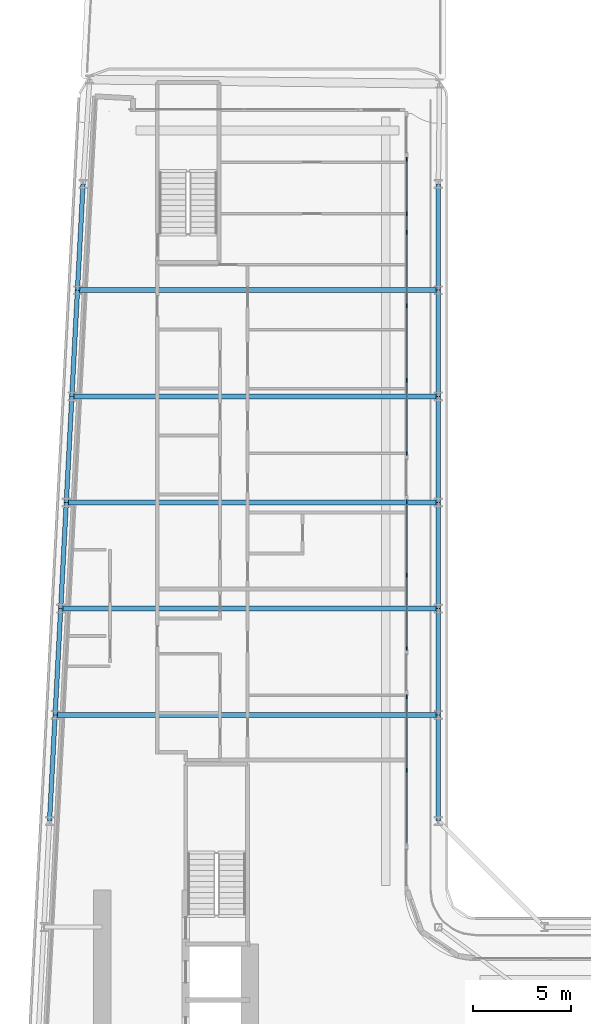
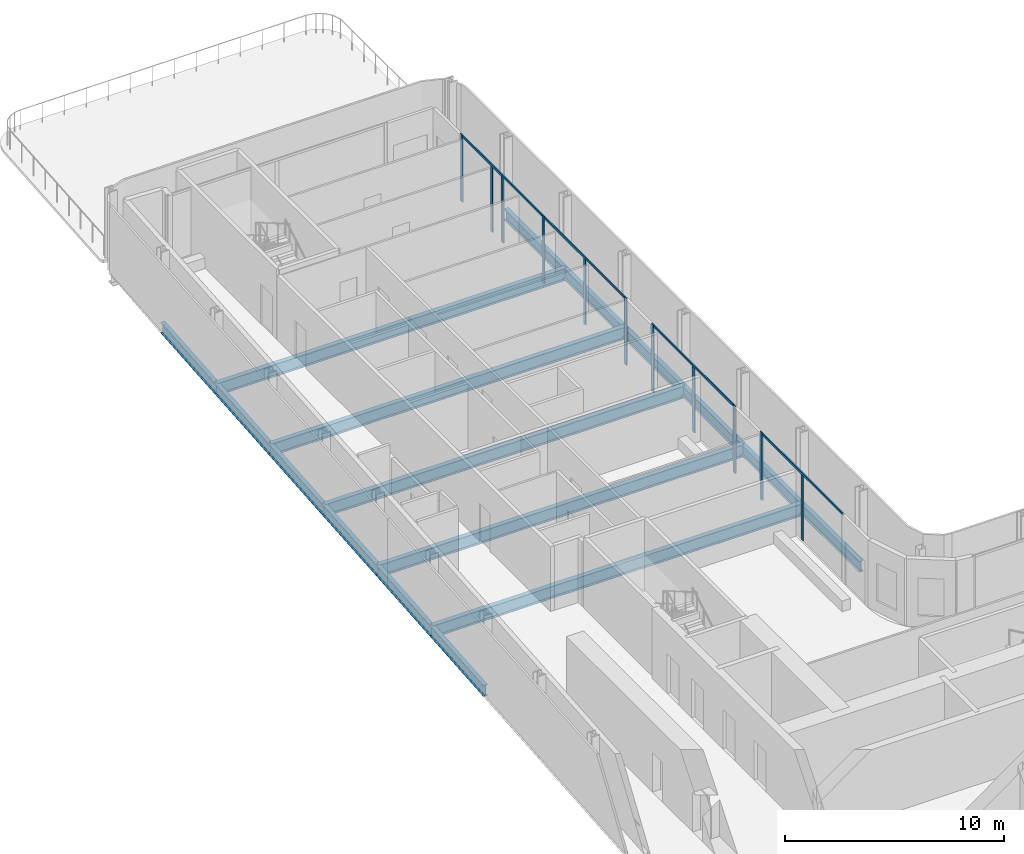
# One storey, part 7 of 28: 17 beams, 15 members, 4 elements without a shape of their own.
"""IFC4 building model written with IfcOpenShell, lengths in metres."""

from ifc_helpers import new_model, si_unit, direction, frame, origin, origin_2d, place, context, subcontext, project, spatial, rectangle, i_section, extrude, material, layer, layer_set, material_profile, profile_set, type_object, element, aggregate, save


model = new_model("IFC4")

# Units and contexts
model_context = context("Model", 3, precision=1e-05, world=origin(), true_north=direction((0.0, 1.0)))
body_context = subcontext(model_context, "Body", "Model", "MODEL_VIEW")
ifc_project = project(units=[si_unit("LENGTHUNIT", "METRE"), si_unit("AREAUNIT", "SQUARE_METRE"), si_unit("VOLUMEUNIT", "CUBIC_METRE"), si_unit("PLANEANGLEUNIT", "RADIAN"), si_unit("MASSUNIT", "GRAM", prefix="KILO")], contexts=[model_context])

# Site, building, storey
site_placement = place(None, origin())
site = spatial("IfcSite", under=ifc_project, at=site_placement, CompositionType="ELEMENT")
building_placement = place(site_placement, origin())
building = spatial("IfcBuilding", under=site, at=building_placement, Name="Kheshtan School and Residences Tower", CompositionType="ELEMENT")
storey_placement = place(building_placement, frame((0.0, 0.0, 94.10009765625)))
storey = spatial("IfcBuildingStorey", under=building, at=storey_placement, Name="L21", CompositionType="ELEMENT", Elevation=94.10009765625)

# Beams
ifc_material_1 = material(Name="Steel ASTM A992 Grade 50", Category="steel")
ifc_material_profile_1 = material_profile(ifc_material_1, i_section(OverallWidth=0.2529296875, OverallDepth=0.677978515625, WebThickness=0.01171875, FlangeThickness=0.016357421875, FilletRadius=0.0146484375, at=origin_2d()), Name="W690x125")
ifc_profile_set_1 = profile_set([ifc_material_profile_1], Name="Steel ASTM A992 Grade 50")
beam_type_1 = type_object("IfcBeamType", Name="Beam FB6 W690x125 ASTM A992 Grade 50", PredefinedType="BEAM", material=ifc_profile_set_1)
beam_1_placement = place(storey_placement, frame((47.60009765625, 72.60009765625, -0.489013671875), z_axis=(-1.0, 0.0, 0.0), x_axis=(0.0, -1.0, 0.0)))
element("IfcBeam", 1, at=beam_1_placement, inside=storey, type_object=beam_type_1, Name="Floor beam C087", PredefinedType="BEAM", context=body_context, shape_type="SweptSolid", body=[
    extrude(i_section(OverallWidth=0.2529296875, OverallDepth=0.677978515625, WebThickness=0.01171875, FlangeThickness=0.016357421875, FilletRadius=0.0146484375, at=origin_2d()), origin(), (0.0, 0.0, 1.0), 18.64208984375),
])
beam_2_placement = place(storey_placement, frame((47.60009765625, 61.800048828125, -0.489013671875), z_axis=(-1.0, 0.0, 0.0), x_axis=(0.0, -1.0, 0.0)))
element("IfcBeam", 2, at=beam_2_placement, inside=storey, type_object=beam_type_1, Name="Floor beam C083", PredefinedType="BEAM", context=body_context, shape_type="SweptSolid", body=[
    extrude(i_section(OverallWidth=0.2529296875, OverallDepth=0.677978515625, WebThickness=0.01171875, FlangeThickness=0.016357421875, FilletRadius=0.0146484375, at=origin_2d()), origin(), (0.0, 0.0, 1.0), 19.210205078125),
])
beam_3_placement = place(storey_placement, frame((28.10595703125, 56.39990234375, -0.489013671875), z_axis=(1.0, 0.0, 0.0), x_axis=(0.0, 1.0, 0.0)))
element("IfcBeam", 3, at=beam_3_placement, inside=storey, type_object=beam_type_1, Name="Floor beam C080", PredefinedType="BEAM", context=body_context, shape_type="SweptSolid", body=[
    extrude(i_section(OverallWidth=0.2529296875, OverallDepth=0.677978515625, WebThickness=0.01171875, FlangeThickness=0.016357421875, FilletRadius=0.0146484375, at=origin_2d()), origin(), (0.0, 0.0, 1.0), 19.494140625),
])
beam_4_placement = place(storey_placement, frame((28.674072265625, 67.199951171875, -0.489013671875), z_axis=(1.0, 0.0, 0.0), x_axis=(0.0, 1.0, 0.0)))
element("IfcBeam", 4, at=beam_4_placement, inside=storey, type_object=beam_type_1, Name="Floor beam C084", PredefinedType="BEAM", context=body_context, shape_type="SweptSolid", body=[
    extrude(i_section(OverallWidth=0.2529296875, OverallDepth=0.677978515625, WebThickness=0.01171875, FlangeThickness=0.016357421875, FilletRadius=0.0146484375, at=origin_2d()), origin(), (0.0, 0.0, 1.0), 18.926025390625),
])
beam_5_placement = place(storey_placement, frame((29.242919921875, 78.0, -0.489013671875), z_axis=(1.0, 0.0, 0.0), x_axis=(0.0, 1.0, 0.0)))
element("IfcBeam", 5, at=beam_5_placement, inside=storey, type_object=beam_type_1, Name="Floor beam C088", PredefinedType="BEAM", context=body_context, shape_type="SweptSolid", body=[
    extrude(i_section(OverallWidth=0.2529296875, OverallDepth=0.677978515625, WebThickness=0.01171875, FlangeThickness=0.016357421875, FilletRadius=0.0146484375, at=origin_2d()), origin(), (0.0, 0.0, 1.0), 18.357177734375),
])
ifc_material_profile_2 = material_profile(ifc_material_1, i_section(OverallWidth=0.22802734375, OverallDepth=0.60302734375, WebThickness=0.010498046875, FlangeThickness=0.014892578125, FilletRadius=0.013427734375, at=origin_2d()), Name="W610x101")
ifc_profile_set_2 = profile_set([ifc_material_profile_2], Name="Steel ASTM A992 Grade 50")
beam_type_2 = type_object("IfcBeamType", Name="Beam SP2 W610x101 ASTM A992 Grade 50", PredefinedType="BEAM", material=ifc_profile_set_2)
for number, where, z_axis, x_axis, name in (
    (6, (47.60009765625, 83.39990234375, -0.45166015625), (0.0, -1.0, 0.0), (1.0, 0.0, 0.0), "Spandrel beam C091-C089"),
    (7, (47.60009765625, 78.0, -0.45166015625), (0.0, -1.0, 0.0), (1.0, 0.0, 0.0), "Spandrel beam C089-C087"),
):
    element("IfcBeam", number, at=place(storey_placement, frame(where, z_axis=z_axis, x_axis=x_axis)), inside=storey, type_object=beam_type_2, Name=name, PredefinedType="BEAM", context=body_context, shape_type="SweptSolid", body=[
        extrude(i_section(OverallWidth=0.22802734375, OverallDepth=0.60302734375, WebThickness=0.010498046875, FlangeThickness=0.014892578125, FilletRadius=0.013427734375, at=origin_2d()), origin(), (0.0, 0.0, 1.0), 5.39990234375),
    ])
beam_6_placement = place(storey_placement, frame((47.60009765625, 72.60009765625, -0.45166015625), z_axis=(0.0, -1.0, 0.0), x_axis=(1.0, 0.0, 0.0)))
element("IfcBeam", 8, at=beam_6_placement, inside=storey, type_object=beam_type_2, Name="Spandrel beam C087-C085", PredefinedType="BEAM", context=body_context, shape_type="SweptSolid", body=[
    extrude(i_section(OverallWidth=0.22802734375, OverallDepth=0.60302734375, WebThickness=0.010498046875, FlangeThickness=0.014892578125, FilletRadius=0.013427734375, at=origin_2d()), origin(), (0.0, 0.0, 1.0), 5.400146484375),
])
beam_7_placement = place(storey_placement, frame((47.60009765625, 67.199951171875, -0.45166015625), z_axis=(0.0, -1.0, 0.0), x_axis=(1.0, 0.0, 0.0)))
element("IfcBeam", 9, at=beam_7_placement, inside=storey, type_object=beam_type_2, Name="Spandrel beam C085-C083", PredefinedType="BEAM", context=body_context, shape_type="SweptSolid", body=[
    extrude(i_section(OverallWidth=0.22802734375, OverallDepth=0.60302734375, WebThickness=0.010498046875, FlangeThickness=0.014892578125, FilletRadius=0.013427734375, at=origin_2d()), origin(), (0.0, 0.0, 1.0), 5.39990234375),
])
beam_8_placement = place(storey_placement, frame((47.60009765625, 61.800048828125, -0.45166015625), z_axis=(0.0, -1.0, 0.0), x_axis=(1.0, 0.0, 0.0)))
element("IfcBeam", 10, at=beam_8_placement, inside=storey, type_object=beam_type_2, Name="Spandrel beam C083-C081", PredefinedType="BEAM", context=body_context, shape_type="SweptSolid", body=[
    extrude(i_section(OverallWidth=0.22802734375, OverallDepth=0.60302734375, WebThickness=0.010498046875, FlangeThickness=0.014892578125, FilletRadius=0.013427734375, at=origin_2d()), origin(), (0.0, 0.0, 1.0), 5.400146484375),
])
beam_9_placement = place(storey_placement, frame((47.60009765625, 56.39990234375, -0.45166015625), z_axis=(0.0, -1.0, 0.0), x_axis=(1.0, 0.0, 0.0)))
element("IfcBeam", 11, at=beam_9_placement, inside=storey, type_object=beam_type_2, Name="Spandrel beam C081-C079", PredefinedType="BEAM", context=body_context, shape_type="SweptSolid", body=[
    extrude(i_section(OverallWidth=0.22802734375, OverallDepth=0.60302734375, WebThickness=0.010498046875, FlangeThickness=0.014892578125, FilletRadius=0.013427734375, at=origin_2d()), origin(), (0.0, 0.0, 1.0), 5.39990234375),
])
beam_10_placement = place(storey_placement, frame((27.822021484375, 51.0, -0.45166015625), z_axis=(0.05250906864, 0.998620447272, 0.0), x_axis=(-0.998620447272, 0.05250906864, 0.0)))
element("IfcBeam", 12, at=beam_10_placement, inside=storey, type_object=beam_type_2, Name="Spandrel beam C078-C080", PredefinedType="BEAM", context=body_context, shape_type="SweptSolid", body=[
    extrude(i_section(OverallWidth=0.22802734375, OverallDepth=0.60302734375, WebThickness=0.010498046875, FlangeThickness=0.014892578125, FilletRadius=0.013427734375, at=origin_2d()), origin(), (0.0, 0.0, 1.0), 5.407470703125),
])
beam_11_placement = place(storey_placement, frame((28.10595703125, 56.39990234375, -0.45166015625), z_axis=(0.05250670125, 0.998620571751, 0.0), x_axis=(-0.998620571751, 0.05250670125, 0.0)))
element("IfcBeam", 13, at=beam_11_placement, inside=storey, type_object=beam_type_2, Name="Spandrel beam C080-C082", PredefinedType="BEAM", context=body_context, shape_type="SweptSolid", body=[
    extrude(i_section(OverallWidth=0.22802734375, OverallDepth=0.60302734375, WebThickness=0.010498046875, FlangeThickness=0.014892578125, FilletRadius=0.013427734375, at=origin_2d()), origin(), (0.0, 0.0, 1.0), 5.40771484375),
])
beam_12_placement = place(storey_placement, frame((28.389892578125, 61.800048828125, -0.45166015625), z_axis=(0.052554093665, 0.998618078766, 0.0), x_axis=(-0.998618078766, 0.052554093665, 0.0)))
element("IfcBeam", 14, at=beam_12_placement, inside=storey, type_object=beam_type_2, Name="Spandrel beam C082-C084", PredefinedType="BEAM", context=body_context, shape_type="SweptSolid", body=[
    extrude(i_section(OverallWidth=0.22802734375, OverallDepth=0.60302734375, WebThickness=0.010498046875, FlangeThickness=0.014892578125, FilletRadius=0.013427734375, at=origin_2d()), origin(), (0.0, 0.0, 1.0), 5.407470703125),
])
beam_13_placement = place(storey_placement, frame((28.674072265625, 67.199951171875, -0.45166015625), z_axis=(0.05250670125, 0.998620571751, 0.0), x_axis=(-0.998620571751, 0.05250670125, 0.0)))
element("IfcBeam", 15, at=beam_13_placement, inside=storey, type_object=beam_type_2, Name="Spandrel beam C084-C086", PredefinedType="BEAM", context=body_context, shape_type="SweptSolid", body=[
    extrude(i_section(OverallWidth=0.22802734375, OverallDepth=0.60302734375, WebThickness=0.010498046875, FlangeThickness=0.014892578125, FilletRadius=0.013427734375, at=origin_2d()), origin(), (0.0, 0.0, 1.0), 5.40771484375),
])
for number, where, z_axis, x_axis, name in (
    (16, (28.9580078125, 72.60009765625, -0.45166015625), (0.052689166816, 0.998610961136, 0.0), (-0.998610961136, 0.052689166816, 0.0), "Spandrel beam C086-C088"),
    (17, (29.242919921875, 78.0, -0.45166015625), (0.052554093665, 0.998618078766, 0.0), (-0.998618078766, 0.052554093665, 0.0), "Spandrel beam C088-C090"),
):
    element("IfcBeam", number, at=place(storey_placement, frame(where, z_axis=z_axis, x_axis=x_axis)), inside=storey, type_object=beam_type_2, Name=name, PredefinedType="BEAM", context=body_context, shape_type="SweptSolid", body=[
        extrude(i_section(OverallWidth=0.22802734375, OverallDepth=0.60302734375, WebThickness=0.010498046875, FlangeThickness=0.014892578125, FilletRadius=0.013427734375, at=origin_2d()), origin(), (0.0, 0.0, 1.0), 5.407470703125),
    ])

# Curtain wall, members
ifc_material_2 = material(Name="Clear low-e glass in thermally broken aluminium frame", Category="aluminium")
ifc_layer = layer(ifc_material_2, 0.199951171875)
ifc_layer_set = layer_set([ifc_layer], Name="Curtain wall CW-L")
curtain_wall_type = type_object("IfcCurtainWallType", Name="Curtain wall CW-L", PredefinedType="NOTDEFINED", material=ifc_layer_set)
curtain_wall_1_placement = place(storey_placement, origin())
curtain_wall_1 = element("IfcCurtainWall", 18, at=curtain_wall_1_placement, inside=storey, type_object=curtain_wall_type, Name="Curtain wall CWL4", PredefinedType="NOTDEFINED")
ifc_material_3 = material(Name="Thermally broken aluminium, dark bronze anodised", Category="aluminium")
ifc_material_profile_3 = material_profile(ifc_material_3, rectangle(XDim=0.06005859375, YDim=0.199951171875, at=origin_2d()), Name="CW-L mullion 60x200")
ifc_profile_set_3 = profile_set([ifc_material_profile_3], Name="Thermally broken aluminium, dark bronze anodised")
member_type_1 = type_object("IfcMemberType", Name="CW-L mullion 60x200", PredefinedType="MULLION", material=ifc_profile_set_3)
member_1_placement = place(storey_placement, frame((46.0, 84.669921875, 0.0), z_axis=(0.0, 0.0, 1.0), x_axis=(1.0, 0.0, 0.0)))
member_1 = element("IfcMember", 19, at=member_1_placement, type_object=member_type_1, Name="CWL4 mullion 1", PredefinedType="MULLION", context=body_context, shape_type="SweptSolid", body=[
    extrude(rectangle(XDim=0.06005859375, YDim=0.199951171875, at=origin_2d()), origin(), (0.0, 0.0, 1.0), 3.75),
])
member_2_placement = place(storey_placement, frame((46.0, 81.89990234375, 0.0), z_axis=(0.0, 0.0, 1.0), x_axis=(1.0, 0.0, 0.0)))
member_2 = element("IfcMember", 20, at=member_2_placement, type_object=member_type_1, Name="CWL4 mullion 2", PredefinedType="MULLION", context=body_context, shape_type="SweptSolid", body=[
    extrude(rectangle(XDim=0.06005859375, YDim=0.199951171875, at=origin_2d()), origin(), (0.0, 0.0, 1.0), 3.6298828125),
])
member_3_placement = place(storey_placement, frame((46.0, 80.941162109375, 0.0), z_axis=(0.0, 0.0, 1.0), x_axis=(1.0, 0.0, 0.0)))
member_3 = element("IfcMember", 21, at=member_3_placement, type_object=member_type_1, Name="CWL4 mullion 3", PredefinedType="MULLION", context=body_context, shape_type="SweptSolid", body=[
    extrude(rectangle(XDim=0.06005859375, YDim=0.199951171875, at=origin_2d()), origin(), (0.0, 0.0, 1.0), 3.6298828125),
])
member_4_placement = place(storey_placement, frame((46.0, 77.21240234375, 0.0), z_axis=(0.0, 0.0, 1.0), x_axis=(1.0, 0.0, 0.0)))
member_4 = element("IfcMember", 22, at=member_4_placement, type_object=member_type_1, Name="CWL4 mullion 4", PredefinedType="MULLION", context=body_context, shape_type="SweptSolid", body=[
    extrude(rectangle(XDim=0.06005859375, YDim=0.199951171875, at=origin_2d()), origin(), (0.0, 0.0, 1.0), 3.75),
])

curtain_wall_2_placement = place(storey_placement, origin())
curtain_wall_2 = element("IfcCurtainWall", 23, at=curtain_wall_2_placement, inside=storey, type_object=curtain_wall_type, Name="Curtain wall CWL4a", PredefinedType="NOTDEFINED")
member_5_placement = place(storey_placement, frame((46.0, 73.423828125, 0.0), z_axis=(0.0, 0.0, 1.0), x_axis=(1.0, 0.0, 0.0)))
member_5 = element("IfcMember", 24, at=member_5_placement, type_object=member_type_1, Name="CWL4a mullion 2", PredefinedType="MULLION", context=body_context, shape_type="SweptSolid", body=[
    extrude(rectangle(XDim=0.06005859375, YDim=0.199951171875, at=origin_2d()), origin(), (0.0, 0.0, 1.0), 3.6298828125),
])
member_6_placement = place(storey_placement, frame((46.0, 69.695068359375, 0.0), z_axis=(0.0, 0.0, 1.0), x_axis=(1.0, 0.0, 0.0)))
member_6 = element("IfcMember", 25, at=member_6_placement, type_object=member_type_1, Name="CWL4a mullion 3", PredefinedType="MULLION", context=body_context, shape_type="SweptSolid", body=[
    extrude(rectangle(XDim=0.06005859375, YDim=0.199951171875, at=origin_2d()), origin(), (0.0, 0.0, 1.0), 3.75),
])

curtain_wall_3_placement = place(storey_placement, origin())
curtain_wall_3 = element("IfcCurtainWall", 26, at=curtain_wall_3_placement, inside=storey, type_object=curtain_wall_type, Name="Curtain wall CWL4a", PredefinedType="NOTDEFINED")
member_7_placement = place(storey_placement, frame((46.0, 67.235107421875, 0.0), z_axis=(0.0, 0.0, 1.0), x_axis=(1.0, 0.0, 0.0)))
member_7 = element("IfcMember", 27, at=member_7_placement, type_object=member_type_1, Name="CWL4a mullion 1", PredefinedType="MULLION", context=body_context, shape_type="SweptSolid", body=[
    extrude(rectangle(XDim=0.06005859375, YDim=0.199951171875, at=origin_2d()), origin(), (0.0, 0.0, 1.0), 3.75),
])
member_8_placement = place(storey_placement, frame((46.0, 63.50634765625, 0.0), z_axis=(0.0, 0.0, 1.0), x_axis=(1.0, 0.0, 0.0)))
member_8 = element("IfcMember", 28, at=member_8_placement, type_object=member_type_1, Name="CWL4a mullion 2", PredefinedType="MULLION", context=body_context, shape_type="SweptSolid", body=[
    extrude(rectangle(XDim=0.06005859375, YDim=0.199951171875, at=origin_2d()), origin(), (0.0, 0.0, 1.0), 3.6298828125),
])
member_9_placement = place(storey_placement, frame((46.0, 59.777587890625, 0.0), z_axis=(0.0, 0.0, 1.0), x_axis=(1.0, 0.0, 0.0)))
member_9 = element("IfcMember", 29, at=member_9_placement, type_object=member_type_1, Name="CWL4a mullion 3", PredefinedType="MULLION", context=body_context, shape_type="SweptSolid", body=[
    extrude(rectangle(XDim=0.06005859375, YDim=0.199951171875, at=origin_2d()), origin(), (0.0, 0.0, 1.0), 3.75),
])

curtain_wall_4_placement = place(storey_placement, origin())
curtain_wall_4 = element("IfcCurtainWall", 30, at=curtain_wall_4_placement, inside=storey, type_object=curtain_wall_type, Name="Curtain wall CWL4a", PredefinedType="NOTDEFINED")
member_10_placement = place(storey_placement, frame((46.0, 57.3173828125, 0.0), z_axis=(0.0, 0.0, 1.0), x_axis=(1.0, 0.0, 0.0)))
member_10 = element("IfcMember", 31, at=member_10_placement, type_object=member_type_1, Name="CWL4a mullion 1", PredefinedType="MULLION", context=body_context, shape_type="SweptSolid", body=[
    extrude(rectangle(XDim=0.06005859375, YDim=0.199951171875, at=origin_2d()), origin(), (0.0, 0.0, 1.0), 3.75),
])
member_11_placement = place(storey_placement, frame((46.0, 53.5888671875, 0.0), z_axis=(0.0, 0.0, 1.0), x_axis=(1.0, 0.0, 0.0)))
member_11 = element("IfcMember", 32, at=member_11_placement, type_object=member_type_1, Name="CWL4a mullion 2", PredefinedType="MULLION", context=body_context, shape_type="SweptSolid", body=[
    extrude(rectangle(XDim=0.06005859375, YDim=0.199951171875, at=origin_2d()), origin(), (0.0, 0.0, 1.0), 3.6298828125),
])

# Member
ifc_material_profile_4 = material_profile(ifc_material_3, rectangle(XDim=0.06005859375, YDim=0.1201171875, at=origin_2d()), Name="CW-L transom 60x120")
ifc_profile_set_4 = profile_set([ifc_material_profile_4], Name="Thermally broken aluminium, dark bronze anodised")
member_type_2 = type_object("IfcMemberType", Name="CW-L transom 60x120", PredefinedType="USERDEFINED", material=ifc_profile_set_4)
member_12_placement = place(storey_placement, frame((46.0, 84.639892578125, 3.68994140625), z_axis=(0.0, -1.0, 0.0), x_axis=(1.0, 0.0, 0.0)))
member_12 = element("IfcMember", 33, at=member_12_placement, type_object=member_type_2, Name="CWL4 transom 1", ObjectType="TRANSOM", PredefinedType="USERDEFINED", context=body_context, shape_type="SweptSolid", body=[
    extrude(rectangle(XDim=0.06005859375, YDim=0.1201171875, at=origin_2d()), origin(), (0.0, 0.0, 1.0), 7.3974609375),
])

aggregate(curtain_wall_1, [member_1, member_2, member_3, member_4, member_12])

member_13_placement = place(storey_placement, frame((46.0, 77.1826171875, 3.68994140625), z_axis=(0.0, -1.0, 0.0), x_axis=(1.0, 0.0, 0.0)))
member_13 = element("IfcMember", 34, at=member_13_placement, type_object=member_type_2, Name="CWL4a transom 1", ObjectType="TRANSOM", PredefinedType="USERDEFINED", context=body_context, shape_type="SweptSolid", body=[
    extrude(rectangle(XDim=0.06005859375, YDim=0.1201171875, at=origin_2d()), origin(), (0.0, 0.0, 1.0), 7.45751953125),
])

aggregate(curtain_wall_2, [member_5, member_6, member_13])

member_14_placement = place(storey_placement, frame((46.0, 67.205078125, 3.68994140625), z_axis=(0.0, -1.0, 0.0), x_axis=(1.0, 0.0, 0.0)))
member_14 = element("IfcMember", 35, at=member_14_placement, type_object=member_type_2, Name="CWL4a transom 1", ObjectType="TRANSOM", PredefinedType="USERDEFINED", context=body_context, shape_type="SweptSolid", body=[
    extrude(rectangle(XDim=0.06005859375, YDim=0.1201171875, at=origin_2d()), origin(), (0.0, 0.0, 1.0), 7.3974609375),
])

aggregate(curtain_wall_3, [member_7, member_8, member_9, member_14])

member_15_placement = place(storey_placement, frame((46.0, 57.28759765625, 3.68994140625), z_axis=(0.0, -1.0, 0.0), x_axis=(1.0, 0.0, 0.0)))
member_15 = element("IfcMember", 36, at=member_15_placement, type_object=member_type_2, Name="CWL4a transom 1", ObjectType="TRANSOM", PredefinedType="USERDEFINED", context=body_context, shape_type="SweptSolid", body=[
    extrude(rectangle(XDim=0.06005859375, YDim=0.1201171875, at=origin_2d()), origin(), (0.0, 0.0, 1.0), 7.397705078125),
])

aggregate(curtain_wall_4, [member_10, member_11, member_15])

save(model, "model.ifc")
